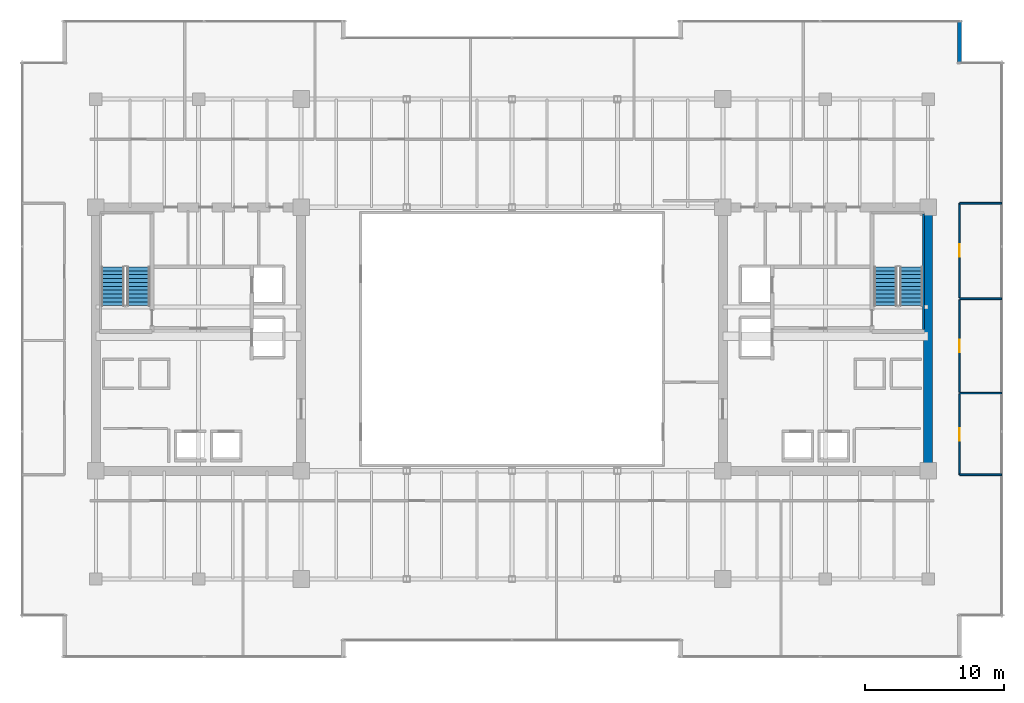
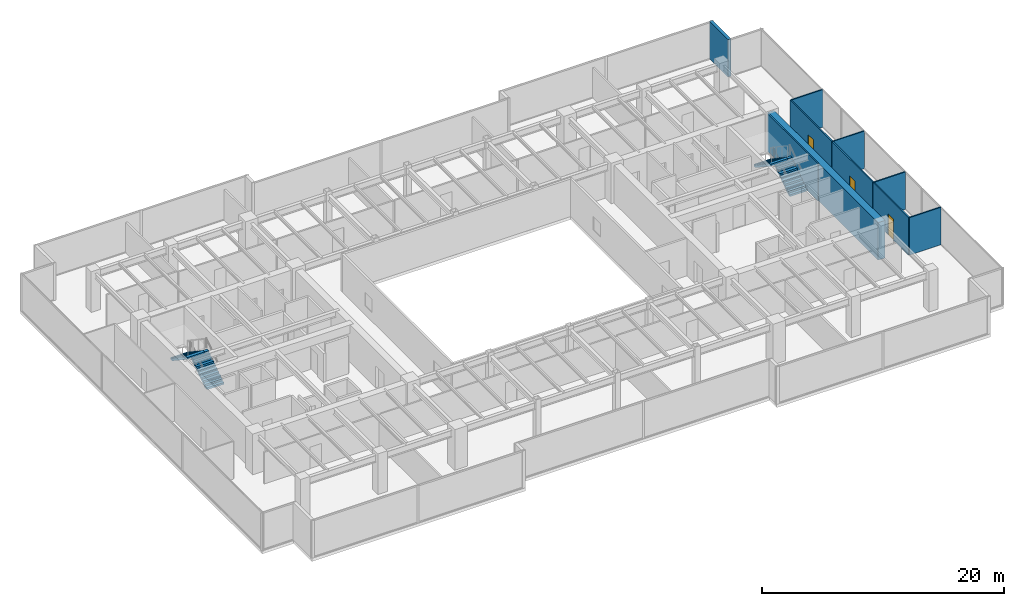
# One storey, part 28 of 30: 10 walls, 4 stair flights, 3 doors, 3 openings, 2 elements without a shape of their own.
"""IFC4 building model written with IfcOpenShell, lengths in metres."""

from ifc_helpers import new_model, si_unit, direction, frame, frame_2d, origin, place, context, subcontext, project, spatial, polyline, rectangle, outline, extrude, source, transform, mapped, material, layer, layer_set, type_object, type_shapes, element, fill, aggregate, save


model = new_model("IFC4")

# Units and contexts
model_context = context("Model", 3, precision=1e-05, world=origin(), true_north=direction((0.0, 1.0)))
body_context = subcontext(model_context, "Body", "Model", "MODEL_VIEW")
ifc_project = project(units=[si_unit("LENGTHUNIT", "METRE"), si_unit("AREAUNIT", "SQUARE_METRE"), si_unit("VOLUMEUNIT", "CUBIC_METRE"), si_unit("PLANEANGLEUNIT", "RADIAN"), si_unit("MASSUNIT", "GRAM", prefix="KILO")], contexts=[model_context])

# Site, building, storey
site_placement = place(None, origin())
site = spatial("IfcSite", under=ifc_project, at=site_placement, CompositionType="ELEMENT")
building_placement = place(site_placement, origin())
building = spatial("IfcBuilding", under=site, at=building_placement, Name="Haelvirn Gate Laboratories", CompositionType="ELEMENT")
storey_placement = place(building_placement, frame((0.0, 0.0, 170.699951171875)))
storey = spatial("IfcBuildingStorey", under=building, at=storey_placement, Name="L41", CompositionType="ELEMENT", Elevation=170.699951171875)

# Walls
ifc_material_1 = material(Name="Thermally-broken bronze aluminium rainscreen & mineral wool", Category="aluminium")
ifc_layer_1 = layer(ifc_material_1, 0.280029296875, Name="EW-TERR-280")
ifc_layer_set_1 = layer_set([ifc_layer_1], Name="Thermally-broken bronze aluminium rainscreen & mineral wool")
wall_type_1 = type_object("IfcWallType", Name="EW-TERR-280", PredefinedType="STANDARD", material=ifc_layer_set_1)
wall_1_placement = place(storey_placement, frame((69.659912109375, 44.2119140625, 0.0), z_axis=(0.0, 0.0, 1.0), x_axis=(0.0, 1.0, 0.0)))
element("IfcWall", 1, at=wall_1_placement, inside=storey, type_object=wall_type_1, Name="L41 Atrium Recess Bronze Return Wall 09", PredefinedType="STANDARD", context=body_context, shape_type="SweptSolid", body=[
    extrude(rectangle(XDim=3.088134765625, YDim=0.280029296875, at=frame_2d((1.5439453125, 0.0))), origin(), (0.0, 0.0, 1.0), 3.7900390625),
])
ifc_material_2 = material(Name="Lightweight acoustic gypsum board partition", Category="gypsum")
ifc_layer_2 = layer(ifc_material_2, 0.1201171875, Name="IW-PART-120")
ifc_layer_set_2 = layer_set([ifc_layer_2], Name="Lightweight acoustic gypsum board partition")
wall_type_2 = type_object("IfcWallType", Name="IW-PART-120", PredefinedType="PARTITIONING", material=ifc_layer_set_2)
for number, where, z_axis, x_axis, name in (
    (2, (69.669921875, 14.514892578125, 0.0), (0.0, 0.0, 1.0), (1.0, 0.0, 0.0), "L41 Interior Wall IW-L41-ECAP-S"),
    (3, (69.669921875, 34.0849609375, 0.0), (0.0, 0.0, 1.0), (1.0, 0.0, 0.0), "L41 Interior Wall IW-L41-ECAP-N"),
):
    element("IfcWall", number, at=place(storey_placement, frame(where, z_axis=z_axis, x_axis=x_axis)), inside=storey, type_object=wall_type_2, Name=name, PredefinedType="PARTITIONING", context=body_context, shape_type="SweptSolid", body=[
        extrude(rectangle(XDim=3.02001953125, YDim=0.1201171875, at=frame_2d((1.510009765625, 0.0))), origin(), (0.0, 0.0, 1.0), 3.7900390625),
    ])

# Wall, opening, door
wall_2_placement = place(storey_placement, frame((69.669921875, 14.514892578125, 0.0), z_axis=(0.0, 0.0, 1.0), x_axis=(0.0, 1.0, 0.0)))
wall_2 = element("IfcWall", 4, at=wall_2_placement, inside=storey, type_object=wall_type_2, Name="L41 Interior Wall IW-L41-EPASS-01", PredefinedType="PARTITIONING", context=body_context, shape_type="SweptSolid", body=[
    extrude(rectangle(XDim=5.8251953125, YDim=0.1201171875, at=frame_2d((2.91259765625, 0.0))), origin(), (0.0, 0.0, 1.0), 3.7900390625),
])
opening_1_placement = place(wall_2_placement, frame((2.46240234375, 0.0, 0.0)))
opening_1 = element("IfcOpeningElement", 5, at=opening_1_placement, cuts=wall_2, Name="Opening D4", PredefinedType="OPENING", context=body_context, shape_type="SweptSolid", body=[
    extrude(rectangle(XDim=0.89990234375, YDim=2.10009765625, at=frame_2d((0.449951171875, 1.050048828125))), frame((0.0, 0.070068359375, 0.0), z_axis=(0.0, -1.0, 0.0), x_axis=(1.0, 0.0, 0.0)), (0.0, 0.0, 1.0), 0.14013671875),
])
ifc_material_3 = material(Name="Glazed aluminium-framed write-up door", Category="aluminium")
door_type = type_object("IfcDoorType", Name="DR-OFF-900", OperationType="NOTDEFINED", PredefinedType="DOOR", material=ifc_material_3)
shared_shape_1 = source(origin(), body_context, "Body", "SweptSolid", [
    extrude(rectangle(XDim=0.89990234375, YDim=2.10009765625, at=frame_2d((0.449951171875, 1.050048828125))), frame((0.0, 0.02490234375, 0.0), z_axis=(0.0, -1.0, 0.0), x_axis=(1.0, 0.0, 0.0)), (0.0, 0.0, 1.0), 0.050048828125),
])
type_shapes(door_type, [shared_shape_1])
door_1_placement = place(opening_1_placement, origin())
door_1 = element("IfcDoor", 6, at=door_1_placement, inside=storey, type_object=door_type, Name="L41 Bioprocess Foundry Laboratory Door E1", OperationType="SINGLE_SWING_LEFT", OverallHeight=2.10009765625, OverallWidth=0.89990234375, PredefinedType="DOOR", context=body_context, shape_type="MappedRepresentation", body=[
    mapped(shared_shape_1, transform((0.0, 0.0, 0.0), scale=1.0)),
])
fill(opening_1, door_1)

# Wall
wall_3_placement = place(storey_placement, frame((69.669921875, 20.39990234375, 0.0), z_axis=(0.0, 0.0, 1.0), x_axis=(1.0, 0.0, 0.0)))
element("IfcWall", 7, at=wall_3_placement, inside=storey, type_object=wall_type_2, Name="L41 Interior Wall IW-L41-EDIV-01", PredefinedType="PARTITIONING", context=body_context, shape_type="SweptSolid", body=[
    extrude(rectangle(XDim=3.02001953125, YDim=0.1201171875, at=frame_2d((1.510009765625, 0.0))), origin(), (0.0, 0.0, 1.0), 3.7900390625),
])

# Wall, opening, door
wall_4_placement = place(storey_placement, frame((69.669921875, 20.4599609375, 0.0), z_axis=(0.0, 0.0, 1.0), x_axis=(0.0, 1.0, 0.0)))
wall_4 = element("IfcWall", 8, at=wall_4_placement, inside=storey, type_object=wall_type_2, Name="L41 Interior Wall IW-L41-EPASS-02", PredefinedType="PARTITIONING", context=body_context, shape_type="SweptSolid", body=[
    extrude(rectangle(XDim=6.679931640625, YDim=0.1201171875, at=frame_2d((3.33984375, 0.0))), origin(), (0.0, 0.0, 1.0), 3.7900390625),
])
opening_2_placement = place(wall_4_placement, frame((2.889892578125, 0.0, 0.0)))
opening_2 = element("IfcOpeningElement", 9, at=opening_2_placement, cuts=wall_4, Name="Opening D4", PredefinedType="OPENING", context=body_context, shape_type="SweptSolid", body=[
    extrude(rectangle(XDim=0.89990234375, YDim=2.10009765625, at=frame_2d((0.449951171875, 1.050048828125))), frame((0.0, 0.070068359375, 0.0), z_axis=(0.0, -1.0, 0.0), x_axis=(1.0, 0.0, 0.0)), (0.0, 0.0, 1.0), 0.14013671875),
])
door_2_placement = place(opening_2_placement, origin())
door_2 = element("IfcDoor", 10, at=door_2_placement, inside=storey, type_object=door_type, Name="L41 Genomics Assay Laboratory Door E2", OperationType="SINGLE_SWING_RIGHT", OverallHeight=2.10009765625, OverallWidth=0.89990234375, PredefinedType="DOOR", context=body_context, shape_type="MappedRepresentation", body=[
    mapped(shared_shape_1, transform((0.0, 0.0, 0.0), scale=1.0)),
])
fill(opening_2, door_2)

# Wall
wall_5_placement = place(storey_placement, frame((69.669921875, 27.199951171875, 0.0), z_axis=(0.0, 0.0, 1.0), x_axis=(1.0, 0.0, 0.0)))
element("IfcWall", 11, at=wall_5_placement, inside=storey, type_object=wall_type_2, Name="L41 Interior Wall IW-L41-EDIV-02", PredefinedType="PARTITIONING", context=body_context, shape_type="SweptSolid", body=[
    extrude(rectangle(XDim=3.02001953125, YDim=0.1201171875, at=frame_2d((1.510009765625, 0.0))), origin(), (0.0, 0.0, 1.0), 3.7900390625),
])

# Wall, opening, door
wall_6_placement = place(storey_placement, frame((69.669921875, 27.260009765625, 0.0), z_axis=(0.0, 0.0, 1.0), x_axis=(0.0, 1.0, 0.0)))
wall_6 = element("IfcWall", 12, at=wall_6_placement, inside=storey, type_object=wall_type_2, Name="L41 Interior Wall IW-L41-EPASS-03", PredefinedType="PARTITIONING", context=body_context, shape_type="SweptSolid", body=[
    extrude(rectangle(XDim=6.824951171875, YDim=0.1201171875, at=frame_2d((3.41259765625, 0.0))), origin(), (0.0, 0.0, 1.0), 3.7900390625),
])
opening_3_placement = place(wall_6_placement, frame((2.96240234375, 0.0, 0.0)))
opening_3 = element("IfcOpeningElement", 13, at=opening_3_placement, cuts=wall_6, Name="Opening D4", PredefinedType="OPENING", context=body_context, shape_type="SweptSolid", body=[
    extrude(rectangle(XDim=0.89990234375, YDim=2.10009765625, at=frame_2d((0.449951171875, 1.050048828125))), frame((0.0, 0.070068359375, 0.0), z_axis=(0.0, -1.0, 0.0), x_axis=(1.0, 0.0, 0.0)), (0.0, 0.0, 1.0), 0.14013671875),
])
door_3_placement = place(opening_3_placement, origin())
door_3 = element("IfcDoor", 14, at=door_3_placement, inside=storey, type_object=door_type, Name="L41 Proteomics Mass-Spec Laboratory Door E3", OperationType="SINGLE_SWING_LEFT", OverallHeight=2.10009765625, OverallWidth=0.89990234375, PredefinedType="DOOR", context=body_context, shape_type="MappedRepresentation", body=[
    mapped(shared_shape_1, transform((0.0, 0.0, 0.0), scale=1.0)),
])
fill(opening_3, door_3)

# Walls
ifc_material_4 = material(Name="Concrete C60/75", Category="concrete")
ifc_layer_3 = layer(ifc_material_4, 0.64990234375, Name="SW-CORE-650")
ifc_layer_set_3 = layer_set([ifc_layer_3], Name="Concrete C60/75")
wall_type_3 = type_object("IfcWallType", Name="SW-CORE-650", PredefinedType="SHEAR", material=ifc_layer_set_3)
wall_7_placement = place(storey_placement, frame((67.39990234375, 15.125, 0.0), z_axis=(0.0, 0.0, 1.0), x_axis=(0.0, 1.0, 0.0)))
element("IfcWall", 15, at=wall_7_placement, inside=storey, type_object=wall_type_3, Name="L41 E Core Shear Wall E", PredefinedType="SHEAR", context=body_context, shape_type="SweptSolid", body=[
    extrude(rectangle(XDim=18.35009765625, YDim=0.64990234375, at=frame_2d((9.175048828125, 0.0))), origin(), (0.0, 0.0, 1.0), 3.7900390625),
])
ifc_material_5 = material(Name="Concrete C50/60", Category="concrete")
ifc_layer_4 = layer(ifc_material_5, 0.1201171875, Name="SW-LINER-120")
ifc_layer_set_4 = layer_set([ifc_layer_4], Name="Concrete C50/60")
wall_type_4 = type_object("IfcWallType", Name="SW-LINER-120", PredefinedType="SOLIDWALL", material=ifc_layer_set_4)
wall_8_placement = place(storey_placement, frame((67.070068359375, 25.0, 0.0), z_axis=(0.0, 0.0, 1.0), x_axis=(0.0, 1.0, 0.0)))
element("IfcWall", 16, at=wall_8_placement, inside=storey, type_object=wall_type_4, Name="L41 E Core Stair Shaft Liner Wall OUT", PredefinedType="SOLIDWALL", context=body_context, shape_type="SweptSolid", body=[
    extrude(rectangle(XDim=8.320068359375, YDim=0.1201171875, at=frame_2d((4.16015625, 0.0))), origin(), (0.0, 0.0, 1.0), 3.7900390625),
])

# Stair, stair flights
ifc_material_6 = material(Name="Concrete C40/50", Category="concrete")
stair_type = type_object("IfcStairType", Name="ST-DOG-1650-R22", PredefinedType="HALF_TURN_STAIR", material=ifc_material_6)
stair_1_placement = place(storey_placement, origin())
stair_1 = element("IfcStair", 17, at=stair_1_placement, inside=storey, type_object=stair_type, Name="L41 Escape Stair ST1", PredefinedType="HALF_TURN_STAIR")
stair_flight_type = type_object("IfcStairFlightType", Name="STF-1650-R11", PredefinedType="STRAIGHT", material=ifc_material_6)
shared_shape_2 = source(origin(), body_context, "Body", "SweptSolid", [
    extrude(outline(polyline([(0.0, 0.0), (0.0, 0.186279296875), (0.280029296875, 0.186279296875), (0.280029296875, 0.372802734375), (0.56005859375, 0.372802734375), (0.56005859375, 0.55908203125), (0.840087890625, 0.55908203125), (0.840087890625, 0.745361328125), (1.1201171875, 0.745361328125), (1.1201171875, 0.931884765625), (1.39990234375, 0.931884765625), (1.39990234375, 1.1181640625), (1.679931640625, 1.1181640625), (1.679931640625, 1.304443359375), (1.9599609375, 1.304443359375), (1.9599609375, 1.490966796875), (2.239990234375, 1.490966796875), (2.239990234375, 1.67724609375), (2.52001953125, 1.67724609375), (2.52001953125, 1.863525390625), (2.800048828125, 1.863525390625), (2.800048828125, 2.050048828125), (2.800048828125, 1.671630859375), (0.28857421875, 0.0), (0.0, 0.0)])), frame((0.0, 0.824951171875, 0.0), z_axis=(0.0, -1.0, 0.0), x_axis=(1.0, 0.0, 0.0)), (0.0, 0.0, 1.0), 1.64990234375),
])
type_shapes(stair_flight_type, [shared_shape_2])
stair_flight_1_placement = place(storey_placement, frame((10.47509765625, 26.699951171875, 0.0), z_axis=(0.0, 0.0, 1.0), x_axis=(0.0, 1.0, 0.0)))
stair_flight_1 = element("IfcStairFlight", 18, at=stair_flight_1_placement, type_object=stair_flight_type, Name="ST1 flight 1", NumberOfRisers=11, NumberOfTreads=10, PredefinedType="STRAIGHT", RiserHeight=0.186363636, TreadLength=0.28, context=body_context, shape_type="MappedRepresentation", body=[
    mapped(shared_shape_2, transform((0.0, 0.0, 0.0), scale=1.0)),
])
stair_flight_2_placement = place(storey_placement, frame((8.625, 29.5, 2.050048828125), z_axis=(0.0, 0.0, 1.0), x_axis=(0.0, -1.0, 0.0)))
stair_flight_2 = element("IfcStairFlight", 19, at=stair_flight_2_placement, type_object=stair_flight_type, Name="ST1 flight 2", NumberOfRisers=11, NumberOfTreads=10, PredefinedType="STRAIGHT", RiserHeight=0.186363636, TreadLength=0.28, context=body_context, shape_type="MappedRepresentation", body=[
    mapped(shared_shape_2, transform((0.0, 0.0, 0.0), scale=1.0)),
])
aggregate(stair_1, [stair_flight_1, stair_flight_2])

stair_2_placement = place(storey_placement, origin())
stair_2 = element("IfcStair", 20, at=stair_2_placement, inside=storey, type_object=stair_type, Name="L41 Escape Stair ST2", PredefinedType="HALF_TURN_STAIR")
stair_flight_3_placement = place(storey_placement, frame((66.175048828125, 26.699951171875, 0.0), z_axis=(0.0, 0.0, 1.0), x_axis=(0.0, 1.0, 0.0)))
stair_flight_3 = element("IfcStairFlight", 21, at=stair_flight_3_placement, type_object=stair_flight_type, Name="ST2 flight 1", NumberOfRisers=11, NumberOfTreads=10, PredefinedType="STRAIGHT", RiserHeight=0.186363636, TreadLength=0.28, context=body_context, shape_type="MappedRepresentation", body=[
    mapped(shared_shape_2, transform((0.0, 0.0, 0.0), scale=1.0)),
])
stair_flight_4_placement = place(storey_placement, frame((64.324951171875, 29.5, 2.050048828125), z_axis=(0.0, 0.0, 1.0), x_axis=(0.0, -1.0, 0.0)))
stair_flight_4 = element("IfcStairFlight", 22, at=stair_flight_4_placement, type_object=stair_flight_type, Name="ST2 flight 2", NumberOfRisers=11, NumberOfTreads=10, PredefinedType="STRAIGHT", RiserHeight=0.186363636, TreadLength=0.28, context=body_context, shape_type="MappedRepresentation", body=[
    mapped(shared_shape_2, transform((0.0, 0.0, 0.0), scale=1.0)),
])
aggregate(stair_2, [stair_flight_3, stair_flight_4])

save(model, "model.ifc")
